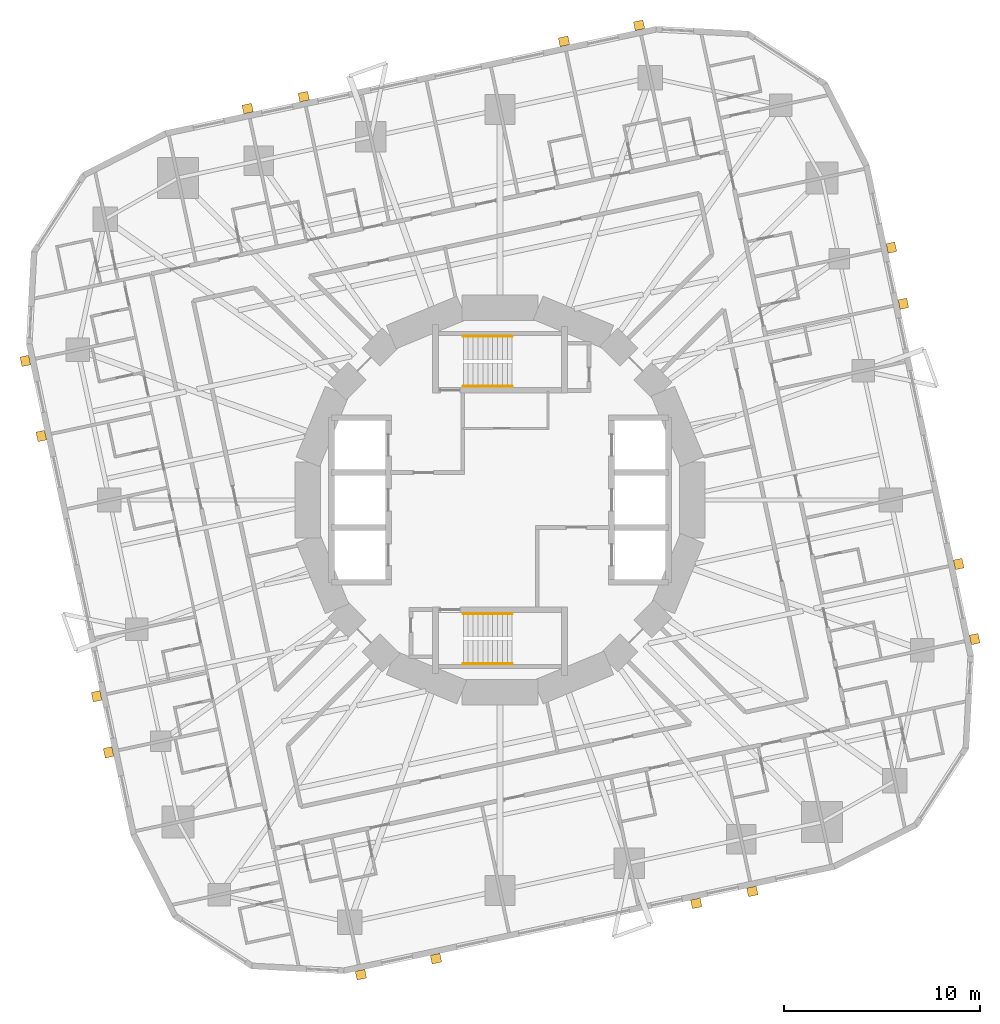
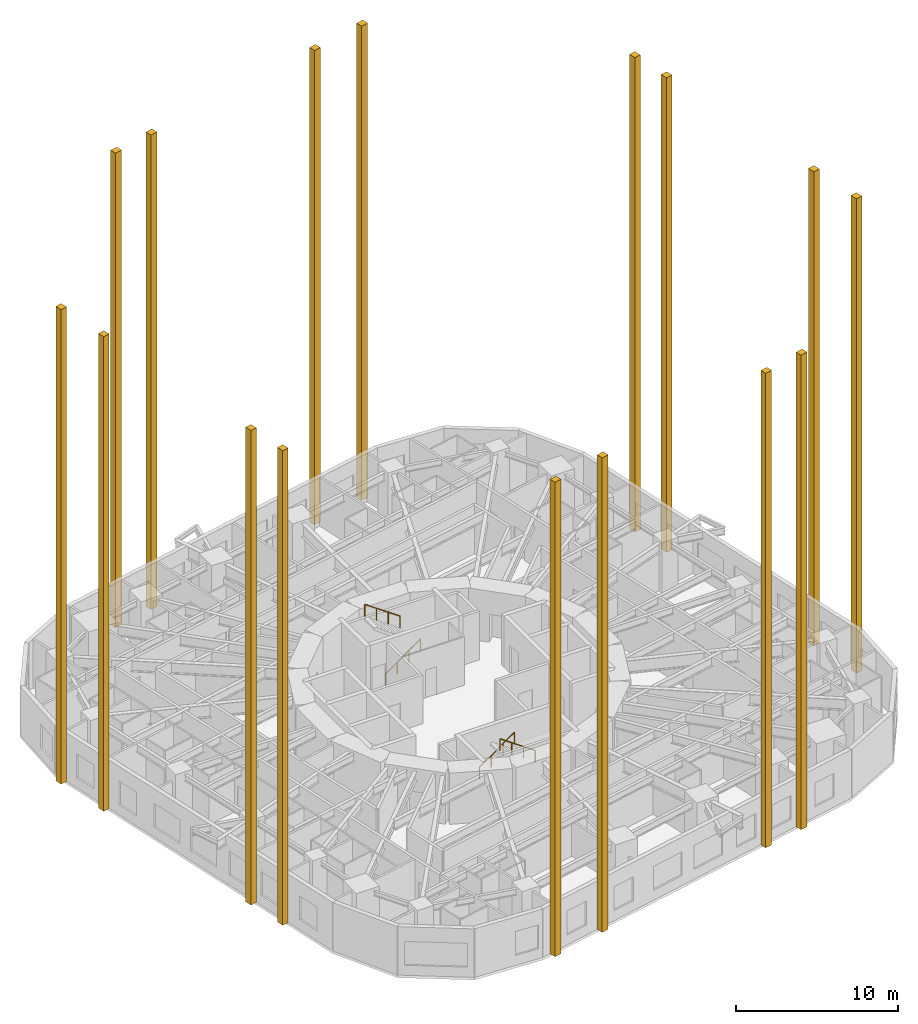
# One storey, part 12 of 12: 16 coverings, 4 railings.
"""IFC4 building model written with IfcOpenShell, lengths in metres."""

import ifcopenshell
import ifcopenshell.guid

model = None  # the IFC model being written
_history = None  # IfcOwnerHistory: only IFC2X3 demands one
_inside = {}  # id of a spatial element -> (the spatial element, [elements in it])
_under = {}  # id of a project, library or spatial element -> (it, [spatial elements below it])
_declared = {}  # id of a project -> (the project, [libraries it declares])
_typed = {}  # id of a type object -> (the type object, [elements of that type])
_made_of = {}  # id of a material, layer set ... -> (it, [elements and type objects made of it])


def new_model(schema):
    """Start an empty IFC model of exactly this schema.

    Asked for "IFC4X3", IfcOpenShell would pick the latest addendum, in which some entities
    have other attributes; the version numbers below select the first issue.
    IFC2X3 requires an IfcOwnerHistory on every rooted entity: one is made here for all.
    """
    global model, _history
    if schema == "IFC4X3":
        model = ifcopenshell.file(schema_version=(4, 3, 0, 0))
    else:
        model = ifcopenshell.file(schema=schema)
    _inside.clear()
    _under.clear()
    _declared.clear()
    _typed.clear()
    _made_of.clear()
    _history = None
    if model.schema == "IFC2X3":
        org = make("IfcOrganization", Name="unknown")
        user = make(
            "IfcPersonAndOrganization",
            ThePerson=make("IfcPerson", FamilyName="unknown"),
            TheOrganization=org,
        )
        app = make(
            "IfcApplication",
            ApplicationDeveloper=org,
            Version="unknown",
            ApplicationFullName="unknown",
            ApplicationIdentifier="unknown",
        )
        _history = make(
            "IfcOwnerHistory",
            OwningUser=user,
            OwningApplication=app,
            ChangeAction="ADDED",
            CreationDate=0,
        )
    return model


def make(cls, **values):
    """One entity of the class cls with the attributes given. An attribute that is None is left unset."""
    return model.create_entity(
        cls, **{name: value for name, value in values.items() if value is not None}
    )


def rooted(cls, **values):
    """An entity with a GlobalId (a new one), such as an element, a storey or a relation."""
    return make(cls, GlobalId=ifcopenshell.guid.new(), OwnerHistory=_history, **values)


def si_unit(unit_type, name, prefix=None):
    """IfcSIUnit, for example si_unit("LENGTHUNIT", "METRE", prefix="MILLI")."""
    return make("IfcSIUnit", UnitType=unit_type, Prefix=prefix, Name=name)


def assignment(units):
    """IfcUnitAssignment: the units of a project."""
    return None if units is None else make("IfcUnitAssignment", Units=units)


def point(xyz):
    """IfcCartesianPoint."""
    return None if xyz is None else make("IfcCartesianPoint", Coordinates=xyz)


def direction(xyz):
    """IfcDirection."""
    return None if xyz is None else make("IfcDirection", DirectionRatios=xyz)


def frame(location, z_axis=None, x_axis=None):
    """IfcAxis2Placement3D, a coordinate frame: its origin and axes. An axis left out is left unset."""
    return make(
        "IfcAxis2Placement3D",
        Location=point(location),
        Axis=direction(z_axis),
        RefDirection=direction(x_axis),
    )


def frame_2d(location, x_axis=None):
    """IfcAxis2Placement2D, a coordinate frame in the plane: its origin and x axis."""
    return make(
        "IfcAxis2Placement2D", Location=point(location), RefDirection=direction(x_axis)
    )


def origin():
    """The frame at (0, 0, 0) with its axes left unset."""
    return frame((0.0, 0.0, 0.0))


def origin_2d():
    """The frame at (0, 0) in the plane with its x axis left unset."""
    return frame_2d((0.0, 0.0))


def place(relative_to, where):
    """IfcLocalPlacement: puts the frame where relative to a parent placement (None: the world)."""
    return make(
        "IfcLocalPlacement", PlacementRelTo=relative_to, RelativePlacement=where
    )


def context(
    kind, dimensions, precision=None, world=None, true_north=None, identifier=None
):
    """IfcGeometricRepresentationContext, for example the 3D "Model" context."""
    return make(
        "IfcGeometricRepresentationContext",
        ContextIdentifier=identifier,
        ContextType=kind,
        CoordinateSpaceDimension=dimensions,
        Precision=precision,
        WorldCoordinateSystem=world,
        TrueNorth=true_north,
    )


def subcontext(parent, identifier, kind, view, scale=None):
    """IfcGeometricRepresentationSubContext, for example "Body" below "Model"."""
    return make(
        "IfcGeometricRepresentationSubContext",
        ContextIdentifier=identifier,
        ContextType=kind,
        ParentContext=parent,
        TargetScale=scale,
        TargetView=view,
    )


def project(units=None, contexts=None):
    """IfcProject with its units and contexts."""
    return rooted(
        "IfcProject",
        Name="project",
        RepresentationContexts=contexts,
        UnitsInContext=assignment(units),
    )


def spatial(cls, under=None, at=None, **own):
    """A site, building, storey or space (cls), placed at a placement, below another one or the project."""
    s = rooted(cls, ObjectPlacement=at, **own)
    if under is not None:
        _under.setdefault(under.id(), (under, []))[1].append(s)
    return s


def profile(cls, at=None, kind="AREA", **sizes):
    """A parametric profile (cls). Its sizes go by their IFC names, for example OverallWidth=200.0."""
    return make(cls, ProfileType=kind, Position=at, **sizes)


def rectangle(**sizes):
    """IfcRectangleProfileDef."""
    return profile("IfcRectangleProfileDef", **sizes)


def circle(**sizes):
    """IfcCircleProfileDef."""
    return profile("IfcCircleProfileDef", **sizes)


def extrude(swept, where, along, depth):
    """IfcExtrudedAreaSolid: the profile swept, set in the frame where, extruded along a direction by depth."""
    return make(
        "IfcExtrudedAreaSolid",
        SweptArea=swept,
        Position=where,
        ExtrudedDirection=direction(along),
        Depth=depth,
    )


def shape(context_of_items, identifier, shape_type, items):
    """IfcShapeRepresentation: the items that make up one representation, for example the "Body"."""
    return make(
        "IfcShapeRepresentation",
        ContextOfItems=context_of_items,
        RepresentationIdentifier=identifier,
        RepresentationType=shape_type,
        Items=items,
    )


def material(Name=None, Category=None):
    """IfcMaterial."""
    return make("IfcMaterial", Name=Name, Category=Category)


def layer(
    of_material, thickness, ventilated=None, Name=None, Category=None, Priority=None
):
    """IfcMaterialLayer: one layer of a wall or slab, of a material (None: an air gap)."""
    return make(
        "IfcMaterialLayer",
        Material=of_material,
        LayerThickness=thickness,
        IsVentilated=ventilated,
        Name=Name,
        Category=Category,
        Priority=Priority,
    )


def layer_set(layers, Name=None):
    """IfcMaterialLayerSet."""
    return make("IfcMaterialLayerSet", MaterialLayers=layers, LayerSetName=Name)


def made_of(thing, what):
    """Note that an element or type object is made of a material, layer set ...; save() writes the relation."""
    if what is not None:
        _made_of.setdefault(what.id(), (what, []))[1].append(thing)
    return thing


def type_object(cls, material=None, **own):
    """A type object (cls), such as IfcWallType, which elements share."""
    return made_of(rooted(cls, **own), material)


def element(
    cls,
    number,
    at=None,
    inside=None,
    cuts=None,
    type_object=None,
    material=None,
    context=None,
    identifier="Body",
    shape_type=None,
    held_by="IfcProductDefinitionShape",
    body=None,
    shapes=None,
    **own,
):
    """One element of the class cls, such as IfcWall. Its Tag is "e" and its number.

    at: its placement. inside: the storey or other place that contains it. cuts: it is an
    opening in that element (IfcRelVoidsElement). A single representation is given by context,
    identifier, shape_type and body (its items); several are given by shapes. held_by: the class
    of the entity that holds the representations. save() writes the other relations.
    """
    e = rooted(cls, Tag="e%d" % number, ObjectPlacement=at, **own)
    if body is not None:
        shapes = [shape(context, identifier, shape_type, body)]
    if shapes is not None:
        e.Representation = make(held_by, Representations=shapes)
    if inside is not None:
        _inside.setdefault(inside.id(), (inside, []))[1].append(e)
    if cuts is not None:
        rooted(
            "IfcRelVoidsElement", RelatingBuildingElement=cuts, RelatedOpeningElement=e
        )
    if type_object is not None:
        _typed.setdefault(type_object.id(), (type_object, []))[1].append(e)
    return made_of(e, material)


def aggregate(whole, parts):
    """IfcRelAggregates: a whole, such as a stair, and the parts it consists of."""
    return rooted("IfcRelAggregates", RelatingObject=whole, RelatedObjects=parts)


def save(model, path):
    """Write the relations noted so far, then the file.

    IfcRelAggregates (storeys below a building ...), IfcRelContainedInSpatialStructure (elements
    in a storey), IfcRelDefinesByType, IfcRelAssociatesMaterial and IfcRelDeclares: one each for
    every whole, place, type object, material and project.
    """
    for whole, parts in _under.values():
        aggregate(whole, parts)
    for where, things in _inside.values():
        rooted(
            "IfcRelContainedInSpatialStructure",
            RelatedElements=things,
            RelatingStructure=where,
        )
    for kind, things in _typed.values():
        rooted("IfcRelDefinesByType", RelatedObjects=things, RelatingType=kind)
    for what, things in _made_of.values():
        rooted("IfcRelAssociatesMaterial", RelatedObjects=things, RelatingMaterial=what)
    for by, libraries in _declared.values():
        rooted("IfcRelDeclares", RelatingContext=by, RelatedDefinitions=libraries)
    model.write(path)


model = new_model("IFC4")

# Units and contexts
model_context = context("Model", 3, precision=1e-05, world=origin(), true_north=direction((0.0, 1.0)))
body_context = subcontext(model_context, "Body", "Model", "MODEL_VIEW")
ifc_project = project(units=[si_unit("LENGTHUNIT", "METRE"), si_unit("AREAUNIT", "SQUARE_METRE"), si_unit("VOLUMEUNIT", "CUBIC_METRE"), si_unit("PLANEANGLEUNIT", "RADIAN"), si_unit("MASSUNIT", "GRAM", prefix="KILO")], contexts=[model_context])

# Site, building, storey
site_placement = place(None, origin())
site = spatial("IfcSite", under=ifc_project, at=site_placement, CompositionType="ELEMENT")
building_placement = place(site_placement, origin())
building = spatial("IfcBuilding", under=site, at=building_placement, Name="Nakasero Lantern House", CompositionType="ELEMENT")
storey_placement = place(building_placement, frame((0.0, 0.0, 101.14990234375)))
storey = spatial("IfcBuildingStorey", under=building, at=storey_placement, Name="L24", CompositionType="ELEMENT", Elevation=101.14990234375)

# Coverings
ifc_material_1 = material(Name="Concrete C40/50 precast", Category="concrete")
ifc_layer = layer(ifc_material_1, 0.449951171875)
ifc_layer_set = layer_set([ifc_layer], Name="Buttress pier 500x450")
covering_type = type_object("IfcCoveringType", Name="Buttress pier 500x450", PredefinedType="CLADDING", material=ifc_layer_set)
for number, where, z_axis, x_axis, name in (
    (1, (24.23095703125, -7.10107421875, 0.0), (0.0, 0.0, 1.0), (0.978147600734, 0.207911690818, 0.0), "Buttress pier B3 0-00"),
    (2, (23.416015625, -3.267333984375, 0.0), (0.0, 0.0, 1.0), (0.978147600734, 0.207911690818, 0.0), "Buttress pier B3 0-01"),
    (3, (20.591796875, 10.01904296875, 0.0), (0.0, 0.0, 1.0), (0.978147600734, 0.207911690818, 0.0), "Buttress pier B3 0-02"),
    (4, (19.9833984375, 12.881591796875, 0.0), (0.0, 0.0, 1.0), (0.978147600734, 0.207911690818, 0.0), "Buttress pier B3 0-03"),
    (5, (7.10107421875, 24.23095703125, 0.0), (0.0, 0.0, 1.0), (-0.207911690818, 0.978147600734, 0.0), "Buttress pier B3 1-00"),
    (6, (3.267333984375, 23.416015625, 0.0), (0.0, 0.0, 1.0), (-0.207911690818, 0.978147600734, 0.0), "Buttress pier B3 1-01"),
    (7, (-10.01904296875, 20.591796875, 0.0), (0.0, 0.0, 1.0), (-0.207911690818, 0.978147600734, 0.0), "Buttress pier B3 1-02"),
    (8, (-12.881591796875, 19.9833984375, 0.0), (0.0, 0.0, 1.0), (-0.207911690818, 0.978147600734, 0.0), "Buttress pier B3 1-03"),
    (9, (-24.23095703125, 7.10107421875, 0.0), (0.0, 0.0, 1.0), (-0.978147600734, -0.207911690818, 0.0), "Buttress pier B3 2-00"),
    (10, (-23.416015625, 3.267333984375, 0.0), (0.0, 0.0, 1.0), (-0.978147600734, -0.207911690818, 0.0), "Buttress pier B3 2-01"),
    (11, (-20.591796875, -10.01904296875, 0.0), (0.0, 0.0, 1.0), (-0.978147600734, -0.207911690818, 0.0), "Buttress pier B3 2-02"),
    (12, (-19.9833984375, -12.881591796875, 0.0), (0.0, 0.0, 1.0), (-0.978147600734, -0.207911690818, 0.0), "Buttress pier B3 2-03"),
    (13, (-7.10107421875, -24.23095703125, 0.0), (0.0, 0.0, 1.0), (0.207911690818, -0.978147600734, 0.0), "Buttress pier B3 3-00"),
    (14, (-3.267333984375, -23.416015625, 0.0), (0.0, 0.0, 1.0), (0.207911690818, -0.978147600734, 0.0), "Buttress pier B3 3-01"),
    (15, (10.01904296875, -20.591796875, 0.0), (0.0, 0.0, 1.0), (0.207911690818, -0.978147600734, 0.0), "Buttress pier B3 3-02"),
    (16, (12.881591796875, -19.9833984375, 0.0), (0.0, 0.0, 1.0), (0.207911690818, -0.978147600734, 0.0), "Buttress pier B3 3-03"),
):
    element("IfcCovering", number, at=place(storey_placement, frame(where, z_axis=z_axis, x_axis=x_axis)), inside=storey, type_object=covering_type, Name=name, PredefinedType="CLADDING", context=body_context, shape_type="SweptSolid", body=[
        extrude(rectangle(XDim=0.449951171875, YDim=0.5, at=origin_2d()), origin(), (0.0, 0.0, 1.0), 35.75),
    ])

# Railings
ifc_material_2 = material(Name="Stainless steel 316", Category="steel")
railing_type = type_object("IfcRailingType", Name="Stair handrail 900", PredefinedType="HANDRAIL", material=ifc_material_2)
railing_1_placement = place(storey_placement, frame((-1.875, 5.800048828125, 0.175048828125)))
element("IfcRailing", 17, at=railing_1_placement, inside=storey, type_object=railing_type, Name="Handrail ST1 L24 flight 1", PredefinedType="HANDRAIL", context=body_context, shape_type="SweptSolid", body=[
    extrude(circle(Radius=0.02392578125, at=origin_2d()), frame((0.0, 0.0, 0.8759765625), z_axis=(0.819231920519, 0.0, 0.573462344363), x_axis=(0.0, 1.0, 0.0)), (0.0, 0.0, 1.0), 3.0517578125),
    extrude(circle(Radius=0.02099609375, at=origin_2d()), origin(), (0.0, 0.0, 1.0), 0.851806640625),
    extrude(circle(Radius=0.02099609375, at=origin_2d()), frame((0.833251953125, 0.0, 0.583251953125)), (0.0, 0.0, 1.0), 0.851806640625),
    extrude(circle(Radius=0.02099609375, at=origin_2d()), frame((1.666748046875, 0.0, 1.166748046875)), (0.0, 0.0, 1.0), 0.851806640625),
    extrude(circle(Radius=0.02099609375, at=origin_2d()), frame((2.5, 0.0, 1.75)), (0.0, 0.0, 1.0), 0.851806640625),
])
railing_2_placement = place(storey_placement, frame((0.625, 8.35009765625, 2.10009765625)))
element("IfcRailing", 18, at=railing_2_placement, inside=storey, type_object=railing_type, Name="Handrail ST1 L24 flight 2", PredefinedType="HANDRAIL", context=body_context, shape_type="SweptSolid", body=[
    extrude(circle(Radius=0.02392578125, at=origin_2d()), frame((0.0, 0.0, 0.8759765625), z_axis=(-0.819231920519, 0.0, 0.573462344363), x_axis=(0.0, -1.0, 0.0)), (0.0, 0.0, 1.0), 3.0517578125),
    extrude(circle(Radius=0.02099609375, at=origin_2d()), origin(), (0.0, 0.0, 1.0), 0.851806640625),
    extrude(circle(Radius=0.02099609375, at=origin_2d()), frame((-0.833251953125, 0.0, 0.583251953125)), (0.0, 0.0, 1.0), 0.851806640625),
    extrude(circle(Radius=0.02099609375, at=origin_2d()), frame((-1.666748046875, 0.0, 1.166748046875)), (0.0, 0.0, 1.0), 0.851806640625),
    extrude(circle(Radius=0.02099609375, at=origin_2d()), frame((-2.5, 0.0, 1.75)), (0.0, 0.0, 1.0), 0.851806640625),
])
railing_3_placement = place(storey_placement, frame((-1.875, -5.800048828125, 0.175048828125)))
element("IfcRailing", 19, at=railing_3_placement, inside=storey, type_object=railing_type, Name="Handrail ST2 L24 flight 1", PredefinedType="HANDRAIL", context=body_context, shape_type="SweptSolid", body=[
    extrude(circle(Radius=0.02392578125, at=origin_2d()), frame((0.0, 0.0, 0.8759765625), z_axis=(0.819231920519, 0.0, 0.573462344363), x_axis=(0.0, 1.0, 0.0)), (0.0, 0.0, 1.0), 3.0517578125),
    extrude(circle(Radius=0.02099609375, at=origin_2d()), origin(), (0.0, 0.0, 1.0), 0.851806640625),
    extrude(circle(Radius=0.02099609375, at=origin_2d()), frame((0.833251953125, 0.0, 0.583251953125)), (0.0, 0.0, 1.0), 0.851806640625),
    extrude(circle(Radius=0.02099609375, at=origin_2d()), frame((1.666748046875, 0.0, 1.166748046875)), (0.0, 0.0, 1.0), 0.851806640625),
    extrude(circle(Radius=0.02099609375, at=origin_2d()), frame((2.5, 0.0, 1.75)), (0.0, 0.0, 1.0), 0.851806640625),
])
railing_4_placement = place(storey_placement, frame((0.625, -8.35009765625, 2.10009765625)))
element("IfcRailing", 20, at=railing_4_placement, inside=storey, type_object=railing_type, Name="Handrail ST2 L24 flight 2", PredefinedType="HANDRAIL", context=body_context, shape_type="SweptSolid", body=[
    extrude(circle(Radius=0.02392578125, at=origin_2d()), frame((0.0, 0.0, 0.8759765625), z_axis=(-0.819231920519, 0.0, 0.573462344363), x_axis=(0.0, -1.0, 0.0)), (0.0, 0.0, 1.0), 3.0517578125),
    extrude(circle(Radius=0.02099609375, at=origin_2d()), origin(), (0.0, 0.0, 1.0), 0.851806640625),
    extrude(circle(Radius=0.02099609375, at=origin_2d()), frame((-0.833251953125, 0.0, 0.583251953125)), (0.0, 0.0, 1.0), 0.851806640625),
    extrude(circle(Radius=0.02099609375, at=origin_2d()), frame((-1.666748046875, 0.0, 1.166748046875)), (0.0, 0.0, 1.0), 0.851806640625),
    extrude(circle(Radius=0.02099609375, at=origin_2d()), frame((-2.5, 0.0, 1.75)), (0.0, 0.0, 1.0), 0.851806640625),
])

save(model, "model.ifc")
